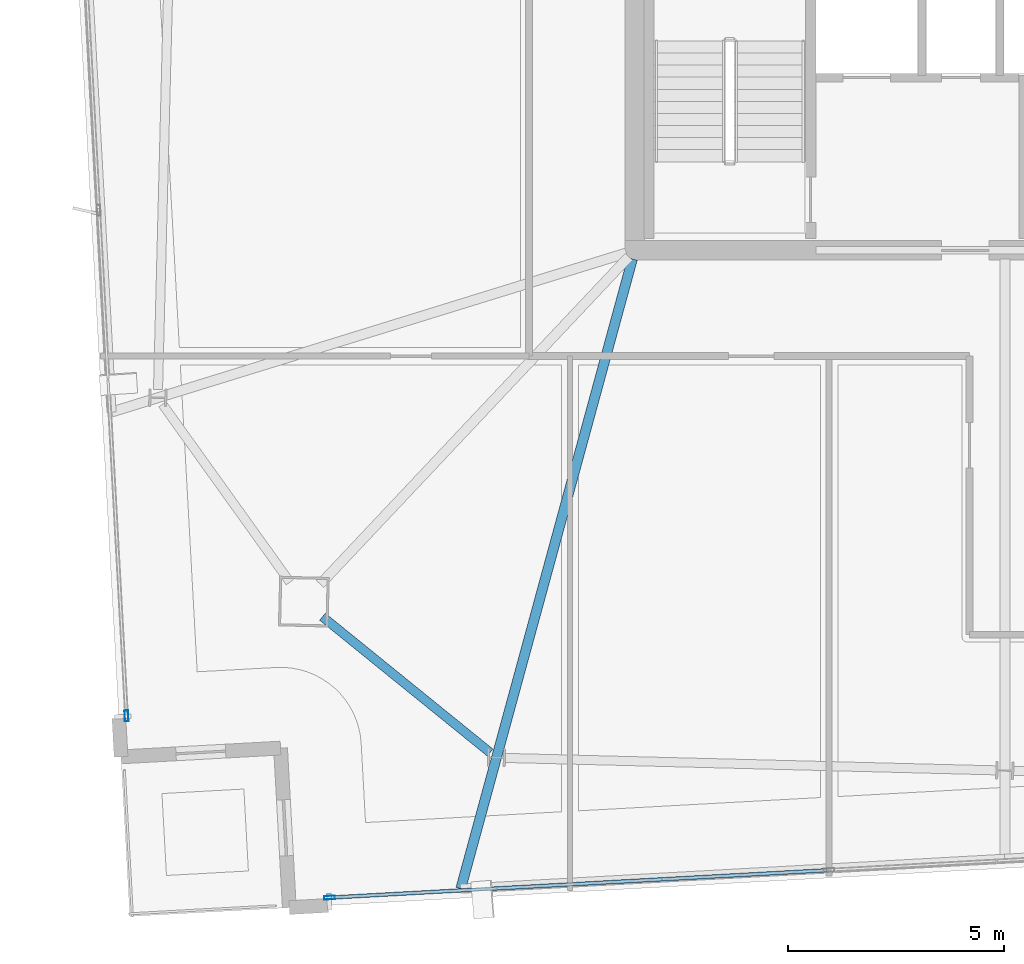
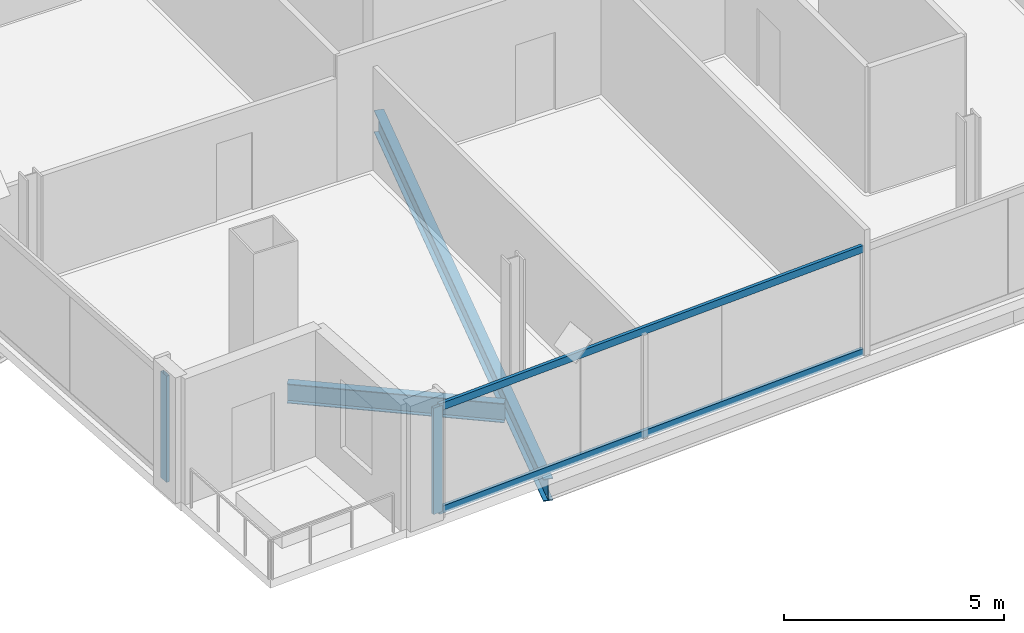
# One storey, part 2 of 23: 4 members, 2 beams, 2 elements without a shape of their own.
"""IFC4 building model written with IfcOpenShell, lengths in metres."""

from ifc_helpers import new_model, si_unit, direction, frame, origin, origin_2d, place, context, subcontext, project, spatial, hollow_rectangle, i_section, extrude, material, material_profile, profile_set, type_object, element, aggregate, save


model = new_model("IFC4")

# Units and contexts
model_context = context("Model", 3, precision=1e-05, world=origin(), true_north=direction((0.0, 1.0)))
body_context = subcontext(model_context, "Body", "Model", "MODEL_VIEW")
ifc_project = project(units=[si_unit("LENGTHUNIT", "METRE"), si_unit("AREAUNIT", "SQUARE_METRE"), si_unit("VOLUMEUNIT", "CUBIC_METRE"), si_unit("PLANEANGLEUNIT", "RADIAN"), si_unit("MASSUNIT", "GRAM", prefix="KILO")], contexts=[model_context])

# Site, building, storey
site_placement = place(None, origin())
site = spatial("IfcSite", under=ifc_project, at=site_placement, CompositionType="ELEMENT")
building_placement = place(site_placement, origin())
building = spatial("IfcBuilding", under=site, at=building_placement, Name="Haldenkirk Collegiate Tower", CompositionType="ELEMENT")
storey_placement = place(building_placement, frame((0.0, 0.0, 340.199951171875)))
storey = spatial("IfcBuildingStorey", under=building, at=storey_placement, Name="L86", CompositionType="ELEMENT", Elevation=340.199951171875)

# Beams
ifc_material_1 = material(Name="Steel ASTM A992 Grade 50", Category="steel")
ifc_material_profile_1 = material_profile(ifc_material_1, i_section(OverallWidth=0.22998046875, OverallDepth=0.616943359375, WebThickness=0.01318359375, FlangeThickness=0.022216796875, at=origin_2d()), Name="W24X94")
ifc_profile_set_1 = profile_set([ifc_material_profile_1], Name="Steel ASTM A992 Grade 50")
beam_type_1 = type_object("IfcBeamType", Name="BM-GIRDER-W24X94", PredefinedType="BEAM", material=ifc_profile_set_1)
beam_1_placement = place(storey_placement, frame((22.96923828125, 3.219482421875, -0.568359375), z_axis=(0.263098271953, 0.964769039354, 0.0), x_axis=(-0.964769039354, 0.263098271953, 0.0)))
element("IfcBeam", 1, at=beam_1_placement, inside=storey, type_object=beam_type_1, Name="L86 primary floor girder 14", PredefinedType="BEAM", context=body_context, shape_type="SweptSolid", body=[
    extrude(i_section(OverallWidth=0.22998046875, OverallDepth=0.616943359375, WebThickness=0.01318359375, FlangeThickness=0.022216796875, at=origin_2d()), origin(), (0.0, 0.0, 1.0), 15.115234375),
])
ifc_material_profile_2 = material_profile(ifc_material_1, i_section(OverallWidth=0.2099609375, OverallDepth=0.537109375, WebThickness=0.010986328125, FlangeThickness=0.017333984375, at=origin_2d()), Name="W21X68")
ifc_profile_set_2 = profile_set([ifc_material_profile_2], Name="Steel ASTM A992 Grade 50")
beam_type_2 = type_object("IfcBeamType", Name="BM-SPANDREL-W21X68", PredefinedType="SPANDREL", material=ifc_profile_set_2)
beam_2_placement = place(storey_placement, frame((19.767578125, 9.51708984375, -0.528564453125), z_axis=(0.776950131303, -0.629562144247, 0.0), x_axis=(0.629562144247, 0.776950131303, 0.0)))
element("IfcBeam", 2, at=beam_2_placement, inside=storey, type_object=beam_type_2, Name="L86 perimeter spandrel beam 13", PredefinedType="SPANDREL", context=body_context, shape_type="SweptSolid", body=[
    extrude(i_section(OverallWidth=0.2099609375, OverallDepth=0.537109375, WebThickness=0.010986328125, FlangeThickness=0.017333984375, at=origin_2d()), origin(), (0.0, 0.0, 1.0), 4.99755859375),
])

# Curtain wall, member
ifc_material_2 = material(Name="Anodised architectural bronze aluminium", Category="aluminium")
curtain_wall_type = type_object("IfcCurtainWallType", Name="CW-SYS1B-CONVEX-HI", PredefinedType="USERDEFINED", material=ifc_material_2)
curtain_wall_1_placement = place(storey_placement, origin())
curtain_wall_1 = element("IfcCurtainWall", 3, at=curtain_wall_1_placement, inside=storey, type_object=curtain_wall_type, Name="L86 Upper tower high-wind convex bronze unitised curtain wall", ObjectType="UNITISED CURTAIN WALL", PredefinedType="USERDEFINED")
ifc_material_profile_3 = material_profile(ifc_material_2, hollow_rectangle(XDim=0.0849609375, YDim=0.25, WallThickness=0.0048828125, at=origin_2d()), Name="CW-MUL-1B")
ifc_profile_set_3 = profile_set([ifc_material_profile_3], Name="Anodised architectural bronze aluminium")
member_type_1 = type_object("IfcMemberType", Name="CW-MUL-1B", PredefinedType="MULLION", material=ifc_profile_set_3)
member_1_placement = place(storey_placement, frame((15.23046875, 7.222900390625, 0.0), z_axis=(0.0, 0.0, 1.0), x_axis=(-0.998489164704, -0.054948957849, 0.0)))
member_1 = element("IfcMember", 4, at=member_1_placement, type_object=member_type_1, Name="CW-1B mullion 1", PredefinedType="MULLION", context=body_context, shape_type="SweptSolid", body=[
    extrude(hollow_rectangle(XDim=0.0849609375, YDim=0.25, WallThickness=0.0048828125, at=origin_2d()), origin(), (0.0, 0.0, 1.0), 2.947998046875),
])
aggregate(curtain_wall_1, [member_1])

# Curtain wall, members
curtain_wall_2_placement = place(storey_placement, origin())
curtain_wall_2 = element("IfcCurtainWall", 5, at=curtain_wall_2_placement, inside=storey, type_object=curtain_wall_type, Name="L86 Upper tower high-wind convex bronze unitised curtain wall", ObjectType="UNITISED CURTAIN WALL", PredefinedType="USERDEFINED")
member_2_placement = place(storey_placement, frame((19.931396484375, 3.012451171875, 0.0), z_axis=(0.0, 0.0, 1.0), x_axis=(0.054947531961, -0.998489243173, 0.0)))
member_2 = element("IfcMember", 6, at=member_2_placement, type_object=member_type_1, Name="CW-1B mullion 4", PredefinedType="MULLION", context=body_context, shape_type="SweptSolid", body=[
    extrude(hollow_rectangle(XDim=0.0849609375, YDim=0.25, WallThickness=0.0048828125, at=origin_2d()), origin(), (0.0, 0.0, 1.0), 2.947998046875),
])
ifc_material_profile_4 = material_profile(ifc_material_2, hollow_rectangle(XDim=0.0849609375, YDim=0.199951171875, WallThickness=0.0048828125, at=origin_2d()), Name="CW-TRN-1B")
ifc_profile_set_4 = profile_set([ifc_material_profile_4], Name="Anodised architectural bronze aluminium")
member_type_2 = type_object("IfcMemberType", Name="CW-TRN-1B", PredefinedType="USERDEFINED", material=ifc_profile_set_4)
member_3_placement = place(storey_placement, frame((31.453857421875, 3.646484375, 0.04248046875), z_axis=(-0.998488837906, -0.054954895847, 0.0), x_axis=(0.054954895847, -0.998488837906, 0.0)))
member_3 = element("IfcMember", 7, at=member_3_placement, type_object=member_type_2, Name="CW-1B transom 3.1", ObjectType="TRANSOM", PredefinedType="USERDEFINED", context=body_context, shape_type="SweptSolid", body=[
    extrude(hollow_rectangle(XDim=0.0849609375, YDim=0.199951171875, WallThickness=0.0048828125, at=origin_2d()), origin(), (0.0, 0.0, 1.0), 11.497314453125),
])
member_4_placement = place(storey_placement, frame((31.453857421875, 3.646484375, 2.905517578125), z_axis=(-0.998488837906, -0.054954895847, 0.0), x_axis=(0.054954895847, -0.998488837906, 0.0)))
member_4 = element("IfcMember", 8, at=member_4_placement, type_object=member_type_2, Name="CW-1B transom 3.2", ObjectType="TRANSOM", PredefinedType="USERDEFINED", context=body_context, shape_type="SweptSolid", body=[
    extrude(hollow_rectangle(XDim=0.0849609375, YDim=0.199951171875, WallThickness=0.0048828125, at=origin_2d()), origin(), (0.0, 0.0, 1.0), 11.497314453125),
])
aggregate(curtain_wall_2, [member_2, member_3, member_4])

save(model, "model.ifc")
